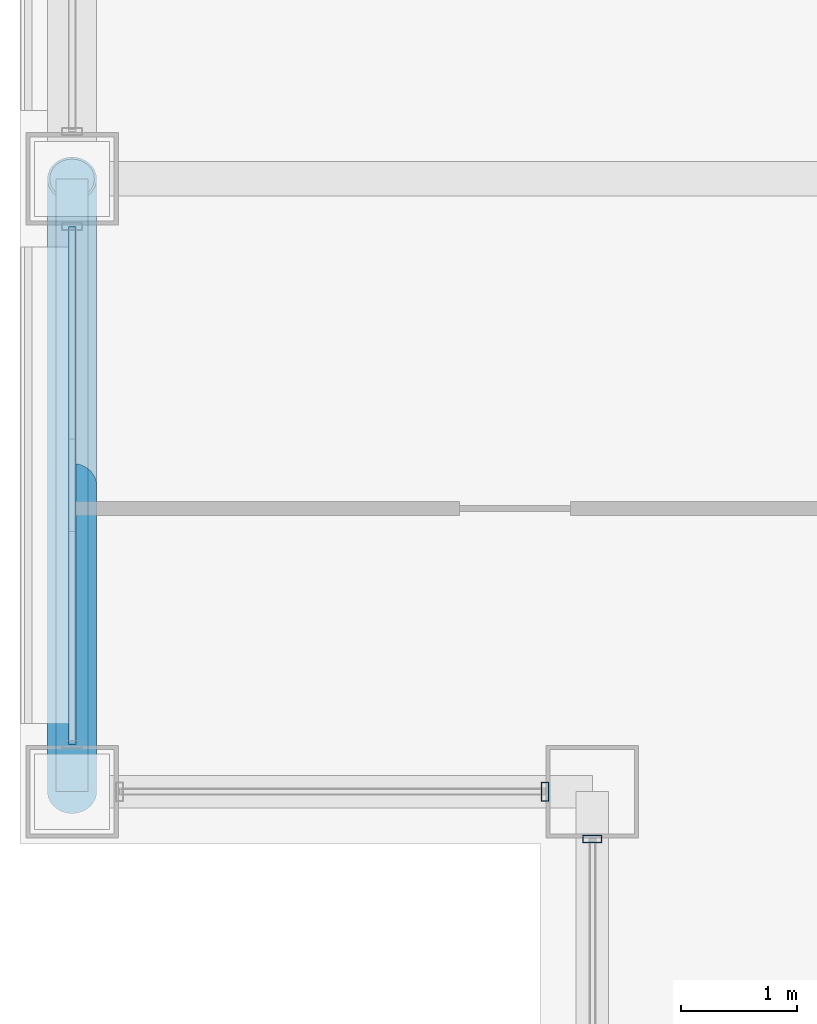
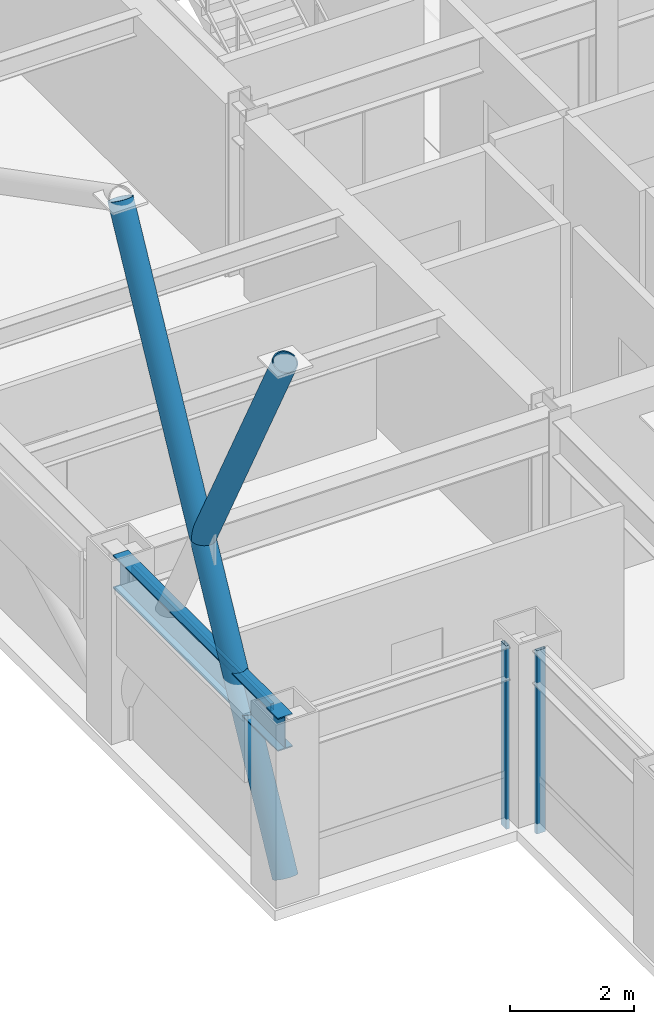
# One storey, part 3 of 35: 5 members, 1 beam, 3 elements without a shape of their own.
"""IFC4 building model written with IfcOpenShell, lengths in metres."""

from ifc_helpers import new_model, si_unit, direction, frame, origin, origin_2d, place, context, subcontext, project, spatial, hollow_rectangle, hollow_circle, i_section, extrude, material, layer, layer_set, material_profile, profile_set, type_object, element, aggregate, save


model = new_model("IFC4")

# Units and contexts
model_context = context("Model", 3, precision=1e-05, world=origin(), true_north=direction((0.0, 1.0)))
body_context = subcontext(model_context, "Body", "Model", "MODEL_VIEW")
ifc_project = project(units=[si_unit("LENGTHUNIT", "METRE"), si_unit("AREAUNIT", "SQUARE_METRE"), si_unit("VOLUMEUNIT", "CUBIC_METRE"), si_unit("PLANEANGLEUNIT", "RADIAN"), si_unit("MASSUNIT", "GRAM", prefix="KILO")], contexts=[model_context])

# Site, building, storey
site_placement = place(None, origin())
site = spatial("IfcSite", under=ifc_project, at=site_placement, CompositionType="ELEMENT")
building_placement = place(site_placement, origin())
building = spatial("IfcBuilding", under=site, at=building_placement, Name="Brelmoor Portico Tower", CompositionType="ELEMENT")
storey_placement = place(building_placement, frame((0.0, 0.0, 131.39990234375)))
storey = spatial("IfcBuildingStorey", under=building, at=storey_placement, Name="L34", CompositionType="ELEMENT", Elevation=131.39990234375)

# Beam
ifc_material_1 = material(Name="Steel Q355B", Category="steel")
ifc_material_profile_1 = material_profile(ifc_material_1, i_section(OverallWidth=0.280029296875, OverallDepth=0.64990234375, WebThickness=0.012939453125, FlangeThickness=0.02197265625, at=origin_2d()), Name="HN 650x280x13x22")
ifc_profile_set_1 = profile_set([ifc_material_profile_1], Name="Steel Q355B")
beam_type = type_object("IfcBeamType", Name="BM-SP-650", PredefinedType="SPANDREL", material=ifc_profile_set_1)
beam_placement = place(storey_placement, frame((-22.550048828125, -15.050048828125, 3.0751953125), z_axis=(0.0, 1.0, 0.0), x_axis=(-1.0, 0.0, 0.0)))
element("IfcBeam", 1, at=beam_placement, inside=storey, type_object=beam_type, Name="L34 Perimeter Spandrel Beam SP-15", PredefinedType="SPANDREL", context=body_context, shape_type="SweptSolid", body=[
    extrude(i_section(OverallWidth=0.280029296875, OverallDepth=0.64990234375, WebThickness=0.012939453125, FlangeThickness=0.02197265625, at=origin_2d()), origin(), (0.0, 0.0, 1.0), 5.300048828125),
])

# Members
ifc_material_profile_2 = material_profile(ifc_material_1, hollow_circle(Radius=0.212890625, WallThickness=0.02001953125, at=origin_2d()), Name="CHS 426x20")
ifc_profile_set_2 = profile_set([ifc_material_profile_2], Name="Steel Q355B")
member_type_1 = type_object("IfcMemberType", Name="MB-BELT-DIAG1", PredefinedType="BRACE", material=ifc_profile_set_2)
member_1_placement = place(storey_placement, frame((-22.550048828125, -15.050048828125, 0.25), z_axis=(0.0, 0.464661902242, 0.885488179822), x_axis=(-1.0, 0.0, 0.0)))
element("IfcMember", 2, at=member_1_placement, inside=storey, type_object=member_type_1, Name="L34 Continuous Mega-X Brace 079A", PredefinedType="BRACE", context=body_context, shape_type="SweptSolid", body=[
    extrude(hollow_circle(Radius=0.212890625, WallThickness=0.02001953125, at=origin_2d()), origin(), (0.0, 0.0, 1.0), 11.40625),
])
member_2_placement = place(storey_placement, frame((-22.550048828125, -12.39990234375, 5.300048828125), z_axis=(0.0, -0.464678684729, 0.885479372972), x_axis=(1.0, 0.0, 0.0)))
element("IfcMember", 3, at=member_2_placement, inside=storey, type_object=member_type_1, Name="L34 Split Mega-X Brace 079B2", PredefinedType="BRACE", context=body_context, shape_type="SweptSolid", body=[
    extrude(hollow_circle(Radius=0.212890625, WallThickness=0.02001953125, at=origin_2d()), origin(), (0.0, 0.0, 1.0), 5.703125),
])

# Curtain wall, member
ifc_material_2 = material(Name="Anodised Aluminium Alloy 6063-T6", Category="aluminium")
ifc_layer_1 = layer(ifc_material_2, 0.179931640625)
ifc_layer_set_1 = layer_set([ifc_layer_1], Name="Anodised Aluminium Alloy 6063-T6")
curtain_wall_type_1 = type_object("IfcCurtainWallType", Name="CW-NOTCH-CHAMFER", PredefinedType="NOTDEFINED", material=ifc_layer_set_1)
curtain_wall_1_placement = place(storey_placement, origin())
curtain_wall_1 = element("IfcCurtainWall", 4, at=curtain_wall_1_placement, inside=storey, type_object=curtain_wall_type_1, Name="L34 Curtain Wall CWN-L34-SWH", PredefinedType="NOTDEFINED")
ifc_material_profile_3 = material_profile(ifc_material_2, hollow_rectangle(XDim=0.06494140625, YDim=0.1650390625, WallThickness=0.00390625, at=origin_2d()), Name="ALU MULLION 65x165")
ifc_profile_set_3 = profile_set([ifc_material_profile_3], Name="Anodised Aluminium Alloy 6063-T6")
member_type_2 = type_object("IfcMemberType", Name="MB-CW-MULL-165", PredefinedType="MULLION", material=ifc_profile_set_3)
member_3_placement = place(storey_placement, frame((-18.4599609375, -15.050048828125, -0.199951171875), z_axis=(0.0, 0.0, 1.0), x_axis=(1.0, 0.0, 0.0)))
member_3 = element("IfcMember", 5, at=member_3_placement, type_object=member_type_2, Name="CWN-L34-SWH Mullion 01", PredefinedType="MULLION", context=body_context, shape_type="SweptSolid", body=[
    extrude(hollow_rectangle(XDim=0.06494140625, YDim=0.1650390625, WallThickness=0.00390625, at=origin_2d()), origin(), (0.0, 0.0, 1.0), 3.60009765625),
])
aggregate(curtain_wall_1, [member_3])

curtain_wall_2_placement = place(storey_placement, origin())
curtain_wall_2 = element("IfcCurtainWall", 6, at=curtain_wall_2_placement, inside=storey, type_object=curtain_wall_type_1, Name="L34 Curtain Wall CWN-L34-SWV", PredefinedType="NOTDEFINED")
member_4_placement = place(storey_placement, frame((-18.050048828125, -15.4599609375, -0.199951171875), z_axis=(0.0, 0.0, 1.0), x_axis=(0.0, 1.0, 0.0)))
member_4 = element("IfcMember", 7, at=member_4_placement, type_object=member_type_2, Name="CWN-L34-SWV Mullion 01", PredefinedType="MULLION", context=body_context, shape_type="SweptSolid", body=[
    extrude(hollow_rectangle(XDim=0.06494140625, YDim=0.1650390625, WallThickness=0.00390625, at=origin_2d()), origin(), (0.0, 0.0, 1.0), 3.60009765625),
])
aggregate(curtain_wall_2, [member_4])

ifc_layer_2 = layer(ifc_material_2, 0.179931640625)
ifc_layer_set_2 = layer_set([ifc_layer_2], Name="Anodised Aluminium Alloy 6063-T6")
curtain_wall_type_2 = type_object("IfcCurtainWallType", Name="CW-TOWER-Z2-XB", PredefinedType="NOTDEFINED", material=ifc_layer_set_2)
curtain_wall_3_placement = place(storey_placement, origin())
curtain_wall_3 = element("IfcCurtainWall", 8, at=curtain_wall_3_placement, inside=storey, type_object=curtain_wall_type_2, Name="L34 Curtain Wall CW-L34-03-1", PredefinedType="NOTDEFINED")
ifc_material_profile_4 = material_profile(ifc_material_2, hollow_rectangle(XDim=0.06494140625, YDim=0.139892578125, WallThickness=0.00390625, at=origin_2d()), Name="ALU TRANSOM 65x140")
ifc_profile_set_4 = profile_set([ifc_material_profile_4], Name="Anodised Aluminium Alloy 6063-T6")
member_type_3 = type_object("IfcMemberType", Name="MB-CW-TRAN-140", PredefinedType="USERDEFINED", material=ifc_profile_set_4)
member_5_placement = place(storey_placement, frame((-22.550048828125, -14.639892578125, 3.330078125), z_axis=(0.0, 1.0, 0.0), x_axis=(-1.0, 0.0, 0.0)))
member_5 = element("IfcMember", 9, at=member_5_placement, type_object=member_type_3, Name="CW-L34-03-1 Transom 1-00", ObjectType="TRANSOM", PredefinedType="USERDEFINED", context=body_context, shape_type="SweptSolid", body=[
    extrude(hollow_rectangle(XDim=0.06494140625, YDim=0.139892578125, WallThickness=0.00390625, at=origin_2d()), origin(), (0.0, 0.0, 1.0), 4.47998046875),
])
aggregate(curtain_wall_3, [member_5])

save(model, "model.ifc")
